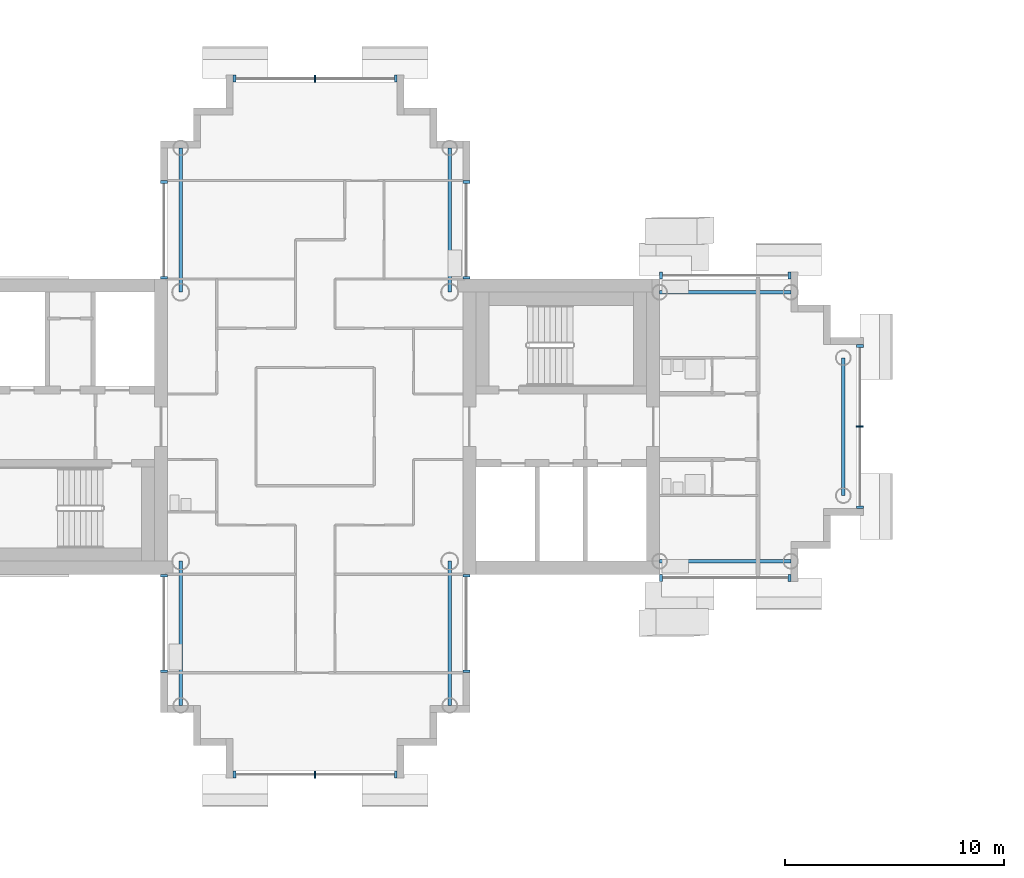
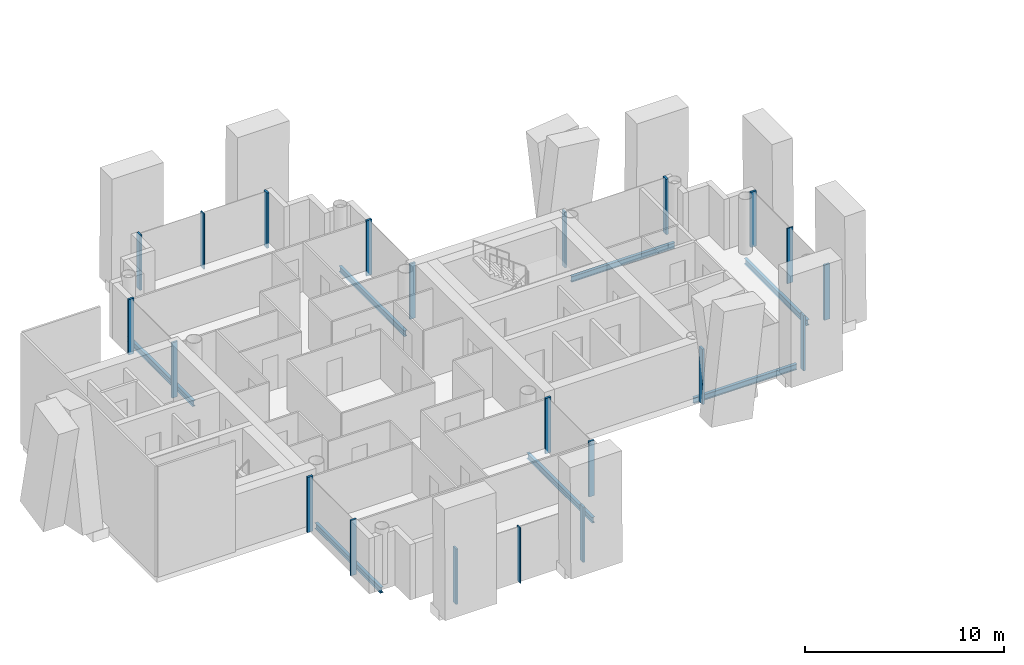
# One storey, part 3 of 18: 21 members, 7 beams, 9 elements without a shape of their own.
"""IFC4 building model written with IfcOpenShell, lengths in metres."""

from ifc_helpers import new_model, si_unit, direction, frame, origin, origin_2d, place, context, subcontext, project, spatial, rectangle, i_section, extrude, material, layer, layer_set, material_profile, profile_set, type_object, element, aggregate, save


model = new_model("IFC4")

# Units and contexts
model_context = context("Model", 3, precision=1e-05, world=origin(), true_north=direction((0.0, 1.0)))
body_context = subcontext(model_context, "Body", "Model", "MODEL_VIEW")
ifc_project = project(units=[si_unit("LENGTHUNIT", "METRE"), si_unit("AREAUNIT", "SQUARE_METRE"), si_unit("VOLUMEUNIT", "CUBIC_METRE"), si_unit("PLANEANGLEUNIT", "RADIAN"), si_unit("MASSUNIT", "GRAM", prefix="KILO")], contexts=[model_context])

# Site, building, storey
site_placement = place(None, origin())
site = spatial("IfcSite", under=ifc_project, at=site_placement, CompositionType="ELEMENT")
building_placement = place(site_placement, origin())
building = spatial("IfcBuilding", under=site, at=building_placement, Name="Ipe Terrace Towers", CompositionType="ELEMENT")
storey_placement = place(building_placement, frame((0.0, 0.0, 202.800048828125)))
storey = spatial("IfcBuildingStorey", under=building, at=storey_placement, Name="L56", CompositionType="ELEMENT", Elevation=202.800048828125)

# Beams
ifc_material_1 = material(Name="Steel S355", Category="steel")
ifc_material_profile_1 = material_profile(ifc_material_1, i_section(OverallWidth=0.175048828125, OverallDepth=0.35009765625, WebThickness=0.007080078125, FlangeThickness=0.010986328125, at=origin_2d()), Name="H-350x175x7x11")
ifc_profile_set_1 = profile_set([ifc_material_profile_1], Name="Steel S355")
beam_type = type_object("IfcBeamType", Name="H04 EDGE BEAM H-350x175x7x11", PredefinedType="BEAM", material=ifc_profile_set_1)
for number, where, z_axis, x_axis, name in (
    (1, (-20.25, -6.14990234375, -0.574951171875), (1.0, 0.0, 0.0), (0.0, 1.0, 0.0), "Edge beam T1-EB-A01-A03"),
    (2, (-20.25, 6.14990234375, -0.574951171875), (1.0, 0.0, 0.0), (0.0, 1.0, 0.0), "Edge beam T1-EB-A02-A04"),
):
    element("IfcBeam", number, at=place(storey_placement, frame(where, z_axis=z_axis, x_axis=x_axis)), inside=storey, type_object=beam_type, Name=name, PredefinedType="BEAM", context=body_context, shape_type="SweptSolid", body=[
        extrude(i_section(OverallWidth=0.175048828125, OverallDepth=0.35009765625, WebThickness=0.007080078125, FlangeThickness=0.010986328125, at=origin_2d()), origin(), (0.0, 0.0, 1.0), 6.0),
    ])
beam_placement = place(storey_placement, frame((-11.85009765625, -3.14990234375, -0.574951171875), z_axis=(0.0, 1.0, 0.0), x_axis=(-1.0, 0.0, 0.0)))
element("IfcBeam", 3, at=beam_placement, inside=storey, type_object=beam_type, Name="Edge beam T1-EB-A05-A06", PredefinedType="BEAM", context=body_context, shape_type="SweptSolid", body=[
    extrude(i_section(OverallWidth=0.175048828125, OverallDepth=0.35009765625, WebThickness=0.007080078125, FlangeThickness=0.010986328125, at=origin_2d()), origin(), (0.0, 0.0, 1.0), 6.2998046875),
])
for number, where, z_axis, x_axis, name in (
    (4, (-29.85009765625, 12.75, -0.574951171875), (0.0, -1.0, 0.0), (1.0, 0.0, 0.0), "Edge beam T1-EB-B01-E03"),
    (5, (-42.14990234375, 12.75, -0.574951171875), (0.0, -1.0, 0.0), (1.0, 0.0, 0.0), "Edge beam T1-EB-B02-E04"),
    (6, (-42.14990234375, -12.75, -0.574951171875), (0.0, 1.0, 0.0), (-1.0, 0.0, 0.0), "Edge beam T1-EB-D01-E01"),
    (7, (-29.85009765625, -12.75, -0.574951171875), (0.0, 1.0, 0.0), (-1.0, 0.0, 0.0), "Edge beam T1-EB-D02-E02"),
):
    element("IfcBeam", number, at=place(storey_placement, frame(where, z_axis=z_axis, x_axis=x_axis)), inside=storey, type_object=beam_type, Name=name, PredefinedType="BEAM", context=body_context, shape_type="SweptSolid", body=[
        extrude(i_section(OverallWidth=0.175048828125, OverallDepth=0.35009765625, WebThickness=0.007080078125, FlangeThickness=0.010986328125, at=origin_2d()), origin(), (0.0, 0.0, 1.0), 6.60009765625),
    ])

# Curtain wall, members
ifc_material_2 = material(Name="Aluminium alloy 6063-T6", Category="aluminium")
ifc_layer = layer(ifc_material_2, 0.320068359375)
ifc_layer_set = layer_set([ifc_layer], Name="TOWER UNITISED CURTAIN WALL")
curtain_wall_type = type_object("IfcCurtainWallType", Name="TOWER UNITISED CURTAIN WALL", PredefinedType="NOTDEFINED", material=ifc_layer_set)
curtain_wall_1_placement = place(storey_placement, origin())
curtain_wall_1 = element("IfcCurtainWall", 8, at=curtain_wall_1_placement, inside=storey, type_object=curtain_wall_type, Name="T1-CW-L56-02a curtain wall", PredefinedType="NOTDEFINED")
ifc_material_3 = material(Name="Aluminium alloy 6063-T6", Category="aluminium")
ifc_material_profile_2 = material_profile(ifc_material_3, rectangle(XDim=0.320068359375, YDim=0.1201171875, at=origin_2d()), Name="TOWER UNITISED CORNER MULLION 320 x 120")
ifc_profile_set_2 = profile_set([ifc_material_profile_2], Name="Aluminium alloy 6063-T6")
member_type_1 = type_object("IfcMemberType", Name="TOWER UNITISED CORNER MULLION 320 x 120", PredefinedType="MULLION", material=ifc_profile_set_2)
member_1_placement = place(storey_placement, frame((-42.909912109375, -6.81005859375, -0.300048828125), z_axis=(0.0, 0.0, 1.0), x_axis=(-1.0, 0.0, 0.0)))
member_1 = element("IfcMember", 9, at=member_1_placement, type_object=member_type_1, Name="T1-CW-L56-02a mullion 1", PredefinedType="MULLION", context=body_context, shape_type="SweptSolid", body=[
    extrude(rectangle(XDim=0.320068359375, YDim=0.1201171875, at=origin_2d()), origin(), (0.0, 0.0, 1.0), 3.39990234375),
])
member_2_placement = place(storey_placement, frame((-42.909912109375, -11.18994140625, -0.300048828125), z_axis=(0.0, 0.0, 1.0), x_axis=(-1.0, 0.0, 0.0)))
member_2 = element("IfcMember", 10, at=member_2_placement, type_object=member_type_1, Name="T1-CW-L56-02a mullion 2", PredefinedType="MULLION", context=body_context, shape_type="SweptSolid", body=[
    extrude(rectangle(XDim=0.320068359375, YDim=0.1201171875, at=origin_2d()), origin(), (0.0, 0.0, 1.0), 3.39990234375),
])
aggregate(curtain_wall_1, [member_1, member_2])

curtain_wall_2_placement = place(storey_placement, origin())
curtain_wall_2 = element("IfcCurtainWall", 11, at=curtain_wall_2_placement, inside=storey, type_object=curtain_wall_type, Name="T1-CW-L56-08a curtain wall", PredefinedType="NOTDEFINED")
member_3_placement = place(storey_placement, frame((-39.68994140625, -15.909912109375, -0.300048828125), z_axis=(0.0, 0.0, 1.0), x_axis=(0.0, -1.0, 0.0)))
member_3 = element("IfcMember", 12, at=member_3_placement, type_object=member_type_1, Name="T1-CW-L56-08a mullion 1", PredefinedType="MULLION", context=body_context, shape_type="SweptSolid", body=[
    extrude(rectangle(XDim=0.320068359375, YDim=0.1201171875, at=origin_2d()), origin(), (0.0, 0.0, 1.0), 3.39990234375),
])
member_4_placement = place(storey_placement, frame((-32.31005859375, -15.909912109375, -0.300048828125), z_axis=(0.0, 0.0, 1.0), x_axis=(0.0, -1.0, 0.0)))
member_4 = element("IfcMember", 13, at=member_4_placement, type_object=member_type_1, Name="T1-CW-L56-08a mullion 3", PredefinedType="MULLION", context=body_context, shape_type="SweptSolid", body=[
    extrude(rectangle(XDim=0.320068359375, YDim=0.1201171875, at=origin_2d()), origin(), (0.0, 0.0, 1.0), 3.39990234375),
])

curtain_wall_3_placement = place(storey_placement, origin())
curtain_wall_3 = element("IfcCurtainWall", 14, at=curtain_wall_3_placement, inside=storey, type_object=curtain_wall_type, Name="T1-CW-L56-14a curtain wall", PredefinedType="NOTDEFINED")
member_5_placement = place(storey_placement, frame((-29.090087890625, -11.18994140625, -0.300048828125), z_axis=(0.0, 0.0, 1.0), x_axis=(1.0, 0.0, 0.0)))
member_5 = element("IfcMember", 15, at=member_5_placement, type_object=member_type_1, Name="T1-CW-L56-14a mullion 1", PredefinedType="MULLION", context=body_context, shape_type="SweptSolid", body=[
    extrude(rectangle(XDim=0.320068359375, YDim=0.1201171875, at=origin_2d()), origin(), (0.0, 0.0, 1.0), 3.39990234375),
])
member_6_placement = place(storey_placement, frame((-29.090087890625, -6.81005859375, -0.300048828125), z_axis=(0.0, 0.0, 1.0), x_axis=(1.0, 0.0, 0.0)))
member_6 = element("IfcMember", 16, at=member_6_placement, type_object=member_type_1, Name="T1-CW-L56-14a mullion 2", PredefinedType="MULLION", context=body_context, shape_type="SweptSolid", body=[
    extrude(rectangle(XDim=0.320068359375, YDim=0.1201171875, at=origin_2d()), origin(), (0.0, 0.0, 1.0), 3.39990234375),
])
aggregate(curtain_wall_3, [member_5, member_6])

curtain_wall_4_placement = place(storey_placement, origin())
curtain_wall_4 = element("IfcCurtainWall", 17, at=curtain_wall_4_placement, inside=storey, type_object=curtain_wall_type, Name="T1-CW-L56-16b curtain wall", PredefinedType="NOTDEFINED")
member_7_placement = place(storey_placement, frame((-20.18896484375, -6.909912109375, -0.300048828125), z_axis=(0.0, 0.0, 1.0), x_axis=(0.0, -1.0, 0.0)))
member_7 = element("IfcMember", 18, at=member_7_placement, type_object=member_type_1, Name="T1-CW-L56-16b mullion 1", PredefinedType="MULLION", context=body_context, shape_type="SweptSolid", body=[
    extrude(rectangle(XDim=0.320068359375, YDim=0.1201171875, at=origin_2d()), origin(), (0.0, 0.0, 1.0), 3.39990234375),
])
member_8_placement = place(storey_placement, frame((-14.31005859375, -6.909912109375, -0.300048828125), z_axis=(0.0, 0.0, 1.0), x_axis=(0.0, -1.0, 0.0)))
member_8 = element("IfcMember", 19, at=member_8_placement, type_object=member_type_1, Name="T1-CW-L56-16b mullion 2", PredefinedType="MULLION", context=body_context, shape_type="SweptSolid", body=[
    extrude(rectangle(XDim=0.320068359375, YDim=0.1201171875, at=origin_2d()), origin(), (0.0, 0.0, 1.0), 3.39990234375),
])
aggregate(curtain_wall_4, [member_7, member_8])

curtain_wall_5_placement = place(storey_placement, origin())
curtain_wall_5 = element("IfcCurtainWall", 20, at=curtain_wall_5_placement, inside=storey, type_object=curtain_wall_type, Name="T1-CW-L56-21a curtain wall", PredefinedType="NOTDEFINED")
member_9_placement = place(storey_placement, frame((-11.090087890625, -3.68994140625, -0.300048828125), z_axis=(0.0, 0.0, 1.0), x_axis=(1.0, 0.0, 0.0)))
member_9 = element("IfcMember", 21, at=member_9_placement, type_object=member_type_1, Name="T1-CW-L56-21a mullion 1", PredefinedType="MULLION", context=body_context, shape_type="SweptSolid", body=[
    extrude(rectangle(XDim=0.320068359375, YDim=0.1201171875, at=origin_2d()), origin(), (0.0, 0.0, 1.0), 3.39990234375),
])
member_10_placement = place(storey_placement, frame((-11.090087890625, 3.68994140625, -0.300048828125), z_axis=(0.0, 0.0, 1.0), x_axis=(1.0, 0.0, 0.0)))
member_10 = element("IfcMember", 22, at=member_10_placement, type_object=member_type_1, Name="T1-CW-L56-21a mullion 3", PredefinedType="MULLION", context=body_context, shape_type="SweptSolid", body=[
    extrude(rectangle(XDim=0.320068359375, YDim=0.1201171875, at=origin_2d()), origin(), (0.0, 0.0, 1.0), 3.39990234375),
])

curtain_wall_6_placement = place(storey_placement, origin())
curtain_wall_6 = element("IfcCurtainWall", 23, at=curtain_wall_6_placement, inside=storey, type_object=curtain_wall_type, Name="T1-CW-L56-26a curtain wall", PredefinedType="NOTDEFINED")
member_11_placement = place(storey_placement, frame((-14.31005859375, 6.909912109375, -0.300048828125), z_axis=(0.0, 0.0, 1.0), x_axis=(0.0, 1.0, 0.0)))
member_11 = element("IfcMember", 24, at=member_11_placement, type_object=member_type_1, Name="T1-CW-L56-26a mullion 1", PredefinedType="MULLION", context=body_context, shape_type="SweptSolid", body=[
    extrude(rectangle(XDim=0.320068359375, YDim=0.1201171875, at=origin_2d()), origin(), (0.0, 0.0, 1.0), 3.39990234375),
])
member_12_placement = place(storey_placement, frame((-20.18896484375, 6.909912109375, -0.300048828125), z_axis=(0.0, 0.0, 1.0), x_axis=(0.0, 1.0, 0.0)))
member_12 = element("IfcMember", 25, at=member_12_placement, type_object=member_type_1, Name="T1-CW-L56-26a mullion 2", PredefinedType="MULLION", context=body_context, shape_type="SweptSolid", body=[
    extrude(rectangle(XDim=0.320068359375, YDim=0.1201171875, at=origin_2d()), origin(), (0.0, 0.0, 1.0), 3.39990234375),
])
aggregate(curtain_wall_6, [member_11, member_12])

curtain_wall_7_placement = place(storey_placement, origin())
curtain_wall_7 = element("IfcCurtainWall", 26, at=curtain_wall_7_placement, inside=storey, type_object=curtain_wall_type, Name="T1-CW-L56-28a curtain wall", PredefinedType="NOTDEFINED")
member_13_placement = place(storey_placement, frame((-29.090087890625, 6.81005859375, -0.300048828125), z_axis=(0.0, 0.0, 1.0), x_axis=(1.0, 0.0, 0.0)))
member_13 = element("IfcMember", 27, at=member_13_placement, type_object=member_type_1, Name="T1-CW-L56-28a mullion 1", PredefinedType="MULLION", context=body_context, shape_type="SweptSolid", body=[
    extrude(rectangle(XDim=0.320068359375, YDim=0.1201171875, at=origin_2d()), origin(), (0.0, 0.0, 1.0), 3.39990234375),
])
member_14_placement = place(storey_placement, frame((-29.090087890625, 11.18994140625, -0.300048828125), z_axis=(0.0, 0.0, 1.0), x_axis=(1.0, 0.0, 0.0)))
member_14 = element("IfcMember", 28, at=member_14_placement, type_object=member_type_1, Name="T1-CW-L56-28a mullion 2", PredefinedType="MULLION", context=body_context, shape_type="SweptSolid", body=[
    extrude(rectangle(XDim=0.320068359375, YDim=0.1201171875, at=origin_2d()), origin(), (0.0, 0.0, 1.0), 3.39990234375),
])
aggregate(curtain_wall_7, [member_13, member_14])

curtain_wall_8_placement = place(storey_placement, origin())
curtain_wall_8 = element("IfcCurtainWall", 29, at=curtain_wall_8_placement, inside=storey, type_object=curtain_wall_type, Name="T1-CW-L56-34a curtain wall", PredefinedType="NOTDEFINED")
member_15_placement = place(storey_placement, frame((-32.31005859375, 15.909912109375, -0.300048828125), z_axis=(0.0, 0.0, 1.0), x_axis=(0.0, 1.0, 0.0)))
member_15 = element("IfcMember", 30, at=member_15_placement, type_object=member_type_1, Name="T1-CW-L56-34a mullion 1", PredefinedType="MULLION", context=body_context, shape_type="SweptSolid", body=[
    extrude(rectangle(XDim=0.320068359375, YDim=0.1201171875, at=origin_2d()), origin(), (0.0, 0.0, 1.0), 3.39990234375),
])
member_16_placement = place(storey_placement, frame((-39.68994140625, 15.909912109375, -0.300048828125), z_axis=(0.0, 0.0, 1.0), x_axis=(0.0, 1.0, 0.0)))
member_16 = element("IfcMember", 31, at=member_16_placement, type_object=member_type_1, Name="T1-CW-L56-34a mullion 3", PredefinedType="MULLION", context=body_context, shape_type="SweptSolid", body=[
    extrude(rectangle(XDim=0.320068359375, YDim=0.1201171875, at=origin_2d()), origin(), (0.0, 0.0, 1.0), 3.39990234375),
])

curtain_wall_9_placement = place(storey_placement, origin())
curtain_wall_9 = element("IfcCurtainWall", 32, at=curtain_wall_9_placement, inside=storey, type_object=curtain_wall_type, Name="T1-CW-L56-40a curtain wall", PredefinedType="NOTDEFINED")
member_17_placement = place(storey_placement, frame((-42.909912109375, 11.18994140625, -0.300048828125), z_axis=(0.0, 0.0, 1.0), x_axis=(-1.0, 0.0, 0.0)))
member_17 = element("IfcMember", 33, at=member_17_placement, type_object=member_type_1, Name="T1-CW-L56-40a mullion 1", PredefinedType="MULLION", context=body_context, shape_type="SweptSolid", body=[
    extrude(rectangle(XDim=0.320068359375, YDim=0.1201171875, at=origin_2d()), origin(), (0.0, 0.0, 1.0), 3.39990234375),
])
member_18_placement = place(storey_placement, frame((-42.909912109375, 6.81005859375, -0.300048828125), z_axis=(0.0, 0.0, 1.0), x_axis=(-1.0, 0.0, 0.0)))
member_18 = element("IfcMember", 34, at=member_18_placement, type_object=member_type_1, Name="T1-CW-L56-40a mullion 2", PredefinedType="MULLION", context=body_context, shape_type="SweptSolid", body=[
    extrude(rectangle(XDim=0.320068359375, YDim=0.1201171875, at=origin_2d()), origin(), (0.0, 0.0, 1.0), 3.39990234375),
])
aggregate(curtain_wall_9, [member_17, member_18])

# Member
ifc_material_4 = material(Name="Aluminium alloy 6063-T6", Category="aluminium")
ifc_material_profile_3 = material_profile(ifc_material_4, rectangle(XDim=0.320068359375, YDim=0.06494140625, at=origin_2d()), Name="TOWER UNITISED MULLION 320 x 65")
ifc_profile_set_3 = profile_set([ifc_material_profile_3], Name="Aluminium alloy 6063-T6")
member_type_2 = type_object("IfcMemberType", Name="TOWER UNITISED MULLION 320 x 65", PredefinedType="MULLION", material=ifc_profile_set_3)
member_19_placement = place(storey_placement, frame((-36.0, -15.909912109375, -0.300048828125), z_axis=(0.0, 0.0, 1.0), x_axis=(0.0, -1.0, 0.0)))
member_19 = element("IfcMember", 35, at=member_19_placement, type_object=member_type_2, Name="T1-CW-L56-08a mullion 2", PredefinedType="MULLION", context=body_context, shape_type="SweptSolid", body=[
    extrude(rectangle(XDim=0.320068359375, YDim=0.06494140625, at=origin_2d()), origin(), (0.0, 0.0, 1.0), 3.39990234375),
])

aggregate(curtain_wall_2, [member_3, member_19, member_4])

member_20_placement = place(storey_placement, frame((-11.090087890625, 0.0, -0.300048828125), z_axis=(0.0, 0.0, 1.0), x_axis=(1.0, 0.0, 0.0)))
member_20 = element("IfcMember", 36, at=member_20_placement, type_object=member_type_2, Name="T1-CW-L56-21a mullion 2", PredefinedType="MULLION", context=body_context, shape_type="SweptSolid", body=[
    extrude(rectangle(XDim=0.320068359375, YDim=0.06494140625, at=origin_2d()), origin(), (0.0, 0.0, 1.0), 3.39990234375),
])

aggregate(curtain_wall_5, [member_9, member_20, member_10])

member_21_placement = place(storey_placement, frame((-36.0, 15.909912109375, -0.300048828125), z_axis=(0.0, 0.0, 1.0), x_axis=(0.0, 1.0, 0.0)))
member_21 = element("IfcMember", 37, at=member_21_placement, type_object=member_type_2, Name="T1-CW-L56-34a mullion 2", PredefinedType="MULLION", context=body_context, shape_type="SweptSolid", body=[
    extrude(rectangle(XDim=0.320068359375, YDim=0.06494140625, at=origin_2d()), origin(), (0.0, 0.0, 1.0), 3.39990234375),
])

aggregate(curtain_wall_8, [member_15, member_21, member_16])

save(model, "model.ifc")
